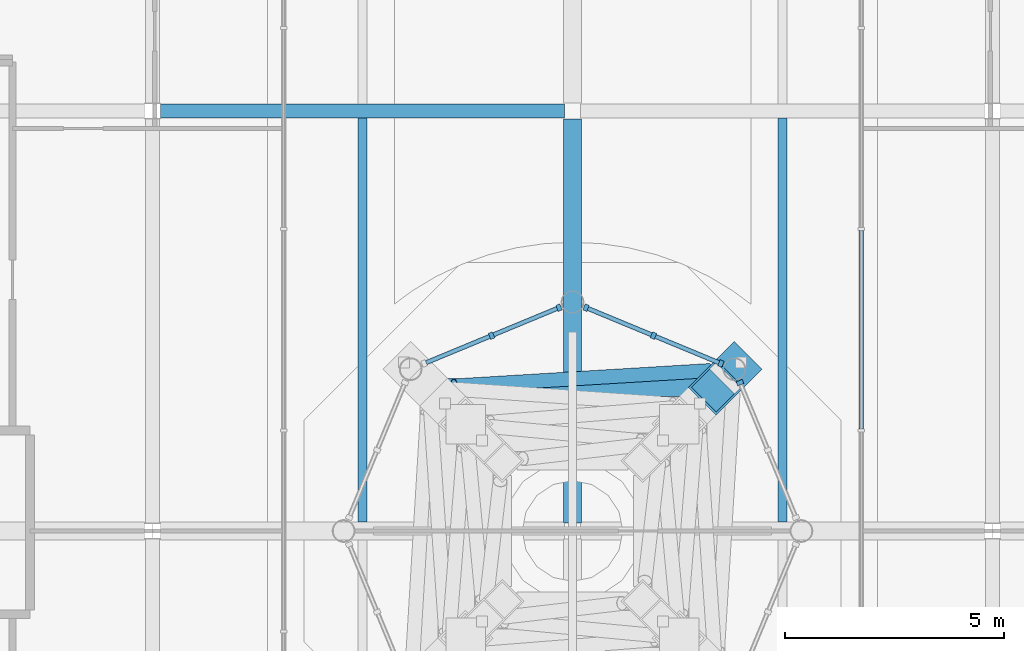
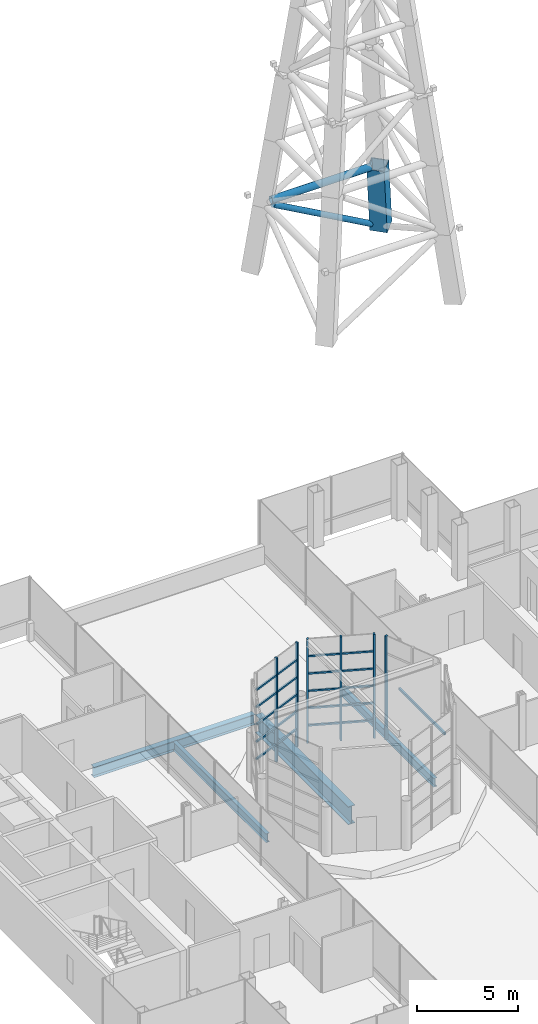
# One storey, part 17 of 32: 30 members, 4 beams, 4 elements without a shape of their own.
"""IFC4 building model written with IfcOpenShell, lengths in metres."""

from ifc_helpers import new_model, si_unit, direction, frame, origin, origin_2d, place, context, subcontext, project, spatial, rectangle, hollow_rectangle, hollow_circle, i_section, extrude, material, material_profile, profile_set, type_object, element, aggregate, save


model = new_model("IFC4")

# Units and contexts
model_context = context("Model", 3, precision=1e-05, world=origin(), true_north=direction((0.0, 1.0)))
body_context = subcontext(model_context, "Body", "Model", "MODEL_VIEW")
ifc_project = project(units=[si_unit("LENGTHUNIT", "METRE"), si_unit("AREAUNIT", "SQUARE_METRE"), si_unit("VOLUMEUNIT", "CUBIC_METRE"), si_unit("PLANEANGLEUNIT", "RADIAN"), si_unit("MASSUNIT", "GRAM", prefix="KILO")], contexts=[model_context])

# Site, building, storey
site_placement = place(None, origin())
site = spatial("IfcSite", under=ifc_project, at=site_placement, CompositionType="ELEMENT")
building_placement = place(site_placement, origin())
building = spatial("IfcBuilding", under=site, at=building_placement, Name="Cobrizo Arcos Hotel Tower", CompositionType="ELEMENT")
storey_placement = place(building_placement, frame((0.0, 0.0, 265.5)))
storey = spatial("IfcBuildingStorey", under=building, at=storey_placement, Name="L70", CompositionType="ELEMENT", Elevation=265.5)

# Curtain wall, member
ifc_material_1 = material(Name="Aluminium 6063-T6 anodised bronze", Category="aluminium")
curtain_wall_type_1 = type_object("IfcCurtainWallType", Name="CW-C arch infill and crown glazing", PredefinedType="NOTDEFINED", material=ifc_material_1)
curtain_wall_1_placement = place(storey_placement, origin())
curtain_wall_1 = element("IfcCurtainWall", 1, at=curtain_wall_1_placement, inside=storey, type_object=curtain_wall_type_1, Name="CW-C L70 W face", PredefinedType="NOTDEFINED")
ifc_material_profile_1 = material_profile(ifc_material_1, rectangle(XDim=0.10009765625, YDim=0.139892578125, at=origin_2d()), Name="CW-C transom 140x100")
ifc_profile_set_1 = profile_set([ifc_material_profile_1], Name="Aluminium 6063-T6 anodised bronze")
member_type_1 = type_object("IfcMemberType", Name="CW-C transom 140x100", PredefinedType="USERDEFINED", material=ifc_profile_set_1)
member_1_placement = place(storey_placement, frame((6.59912109375, 6.864990234375, 0.5), z_axis=(0.0, -1.0, 0.0), x_axis=(1.0, 0.0, 0.0)))
member_1 = element("IfcMember", 2, at=member_1_placement, type_object=member_type_1, Name="CW-C transom 2185", ObjectType="TRANSOM", PredefinedType="USERDEFINED", context=body_context, shape_type="SweptSolid", body=[
    extrude(rectangle(XDim=0.10009765625, YDim=0.139892578125, at=origin_2d()), origin(), (0.0, 0.0, 1.0), 4.530029296875),
])
aggregate(curtain_wall_1, [member_1])

curtain_wall_type_2 = type_object("IfcCurtainWallType", Name="CW-D plant louvre wall", PredefinedType="NOTDEFINED", material=ifc_material_1)
curtain_wall_2_placement = place(storey_placement, origin())
curtain_wall_2 = element("IfcCurtainWall", 3, at=curtain_wall_2_placement, inside=storey, type_object=curtain_wall_type_2, Name="CW-D drum louvre wall 1", PredefinedType="NOTDEFINED")
ifc_material_profile_2 = material_profile(ifc_material_1, rectangle(XDim=0.14990234375, YDim=0.10009765625, at=origin_2d()), Name="CW-D mullion 150x100")
ifc_profile_set_2 = profile_set([ifc_material_profile_2], Name="Aluminium 6063-T6 anodised bronze")
member_type_2 = type_object("IfcMemberType", Name="CW-D mullion 150x100", PredefinedType="MULLION", material=ifc_profile_set_2)
member_2_placement = place(storey_placement, frame((3.827880859375, 3.391357421875, 0.5), z_axis=(0.0, 0.0, 1.0), x_axis=(0.923879532511, 0.382683432365, 0.0)))
member_2 = element("IfcMember", 4, at=member_2_placement, type_object=member_type_2, Name="CW-D mullion 3", PredefinedType="MULLION", context=body_context, shape_type="SweptSolid", body=[
    extrude(rectangle(XDim=0.14990234375, YDim=0.10009765625, at=origin_2d()), origin(), (0.0, 0.0, 1.0), 6.300048828125),
])
aggregate(curtain_wall_2, [member_2])

# Curtain wall, members
curtain_wall_3_placement = place(storey_placement, origin())
curtain_wall_3 = element("IfcCurtainWall", 5, at=curtain_wall_3_placement, inside=storey, type_object=curtain_wall_type_2, Name="CW-D drum louvre wall 2", PredefinedType="NOTDEFINED")
member_3_placement = place(storey_placement, frame((3.391357421875, 3.827880859375, 0.5), z_axis=(0.0, 0.0, 1.0), x_axis=(0.382683432365, 0.923879532511, 0.0)))
member_3 = element("IfcMember", 6, at=member_3_placement, type_object=member_type_2, Name="CW-D mullion 1", PredefinedType="MULLION", context=body_context, shape_type="SweptSolid", body=[
    extrude(rectangle(XDim=0.14990234375, YDim=0.10009765625, at=origin_2d()), origin(), (0.0, 0.0, 1.0), 6.300048828125),
])
member_4_placement = place(storey_placement, frame((1.85009765625, 4.46630859375, 0.5), z_axis=(0.0, 0.0, 1.0), x_axis=(0.382683432365, 0.923879532511, 0.0)))
member_4 = element("IfcMember", 7, at=member_4_placement, type_object=member_type_2, Name="CW-D mullion 2", PredefinedType="MULLION", context=body_context, shape_type="SweptSolid", body=[
    extrude(rectangle(XDim=0.14990234375, YDim=0.10009765625, at=origin_2d()), origin(), (0.0, 0.0, 1.0), 6.300048828125),
])
member_5_placement = place(storey_placement, frame((0.30859375, 5.104736328125, 0.5), z_axis=(0.0, 0.0, 1.0), x_axis=(0.382683432365, 0.923879532511, 0.0)))
member_5 = element("IfcMember", 8, at=member_5_placement, type_object=member_type_2, Name="CW-D mullion 3", PredefinedType="MULLION", context=body_context, shape_type="SweptSolid", body=[
    extrude(rectangle(XDim=0.14990234375, YDim=0.10009765625, at=origin_2d()), origin(), (0.0, 0.0, 1.0), 6.300048828125),
])

curtain_wall_4_placement = place(storey_placement, origin())
curtain_wall_4 = element("IfcCurtainWall", 9, at=curtain_wall_4_placement, inside=storey, type_object=curtain_wall_type_2, Name="CW-D drum louvre wall 3", PredefinedType="NOTDEFINED")
member_6_placement = place(storey_placement, frame((-0.30859375, 5.104736328125, 0.5), z_axis=(0.0, 0.0, 1.0), x_axis=(-0.382683432365, 0.923879532511, 0.0)))
member_6 = element("IfcMember", 10, at=member_6_placement, type_object=member_type_2, Name="CW-D mullion 1", PredefinedType="MULLION", context=body_context, shape_type="SweptSolid", body=[
    extrude(rectangle(XDim=0.14990234375, YDim=0.10009765625, at=origin_2d()), origin(), (0.0, 0.0, 1.0), 6.300048828125),
])
member_7_placement = place(storey_placement, frame((-1.85009765625, 4.46630859375, 0.5), z_axis=(0.0, 0.0, 1.0), x_axis=(-0.382683432365, 0.923879532511, 0.0)))
member_7 = element("IfcMember", 11, at=member_7_placement, type_object=member_type_2, Name="CW-D mullion 2", PredefinedType="MULLION", context=body_context, shape_type="SweptSolid", body=[
    extrude(rectangle(XDim=0.14990234375, YDim=0.10009765625, at=origin_2d()), origin(), (0.0, 0.0, 1.0), 6.300048828125),
])

# Member
ifc_material_profile_3 = material_profile(ifc_material_1, rectangle(XDim=0.10009765625, YDim=0.10009765625, at=origin_2d()), Name="CW-D transom 100x100")
ifc_profile_set_3 = profile_set([ifc_material_profile_3], Name="Aluminium 6063-T6 anodised bronze")
member_type_3 = type_object("IfcMemberType", Name="CW-D transom 100x100", PredefinedType="USERDEFINED", material=ifc_profile_set_3)
member_8_placement = place(storey_placement, frame((3.34521484375, 3.846923828125, 1.550048828125), z_axis=(-0.923844168663, 0.382768797092, 0.0), x_axis=(-0.382768797092, -0.923844168663, 0.0)))
member_8 = element("IfcMember", 12, at=member_8_placement, type_object=member_type_3, Name="CW-D transom 1-1", ObjectType="TRANSOM", PredefinedType="USERDEFINED", context=body_context, shape_type="SweptSolid", body=[
    extrude(rectangle(XDim=0.10009765625, YDim=0.10009765625, at=origin_2d()), origin(), (0.0, 0.0, 1.0), 1.568359375),
])

member_9_placement = place(storey_placement, frame((3.34521484375, 3.846923828125, 2.60009765625), z_axis=(-0.923844168663, 0.382768797092, 0.0), x_axis=(-0.382768797092, -0.923844168663, 0.0)))
member_9 = element("IfcMember", 13, at=member_9_placement, type_object=member_type_3, Name="CW-D transom 1-2", ObjectType="TRANSOM", PredefinedType="USERDEFINED", context=body_context, shape_type="SweptSolid", body=[
    extrude(rectangle(XDim=0.10009765625, YDim=0.10009765625, at=origin_2d()), origin(), (0.0, 0.0, 1.0), 1.568359375),
])

member_10_placement = place(storey_placement, frame((3.34521484375, 3.846923828125, 3.64990234375), z_axis=(-0.923844168663, 0.382768797092, 0.0), x_axis=(-0.382768797092, -0.923844168663, 0.0)))
member_10 = element("IfcMember", 14, at=member_10_placement, type_object=member_type_3, Name="CW-D transom 1-3", ObjectType="TRANSOM", PredefinedType="USERDEFINED", context=body_context, shape_type="SweptSolid", body=[
    extrude(rectangle(XDim=0.10009765625, YDim=0.10009765625, at=origin_2d()), origin(), (0.0, 0.0, 1.0), 1.568359375),
])

member_11_placement = place(storey_placement, frame((3.34521484375, 3.846923828125, 4.699951171875), z_axis=(-0.923844168663, 0.382768797092, 0.0), x_axis=(-0.382768797092, -0.923844168663, 0.0)))
member_11 = element("IfcMember", 15, at=member_11_placement, type_object=member_type_3, Name="CW-D transom 1-4", ObjectType="TRANSOM", PredefinedType="USERDEFINED", context=body_context, shape_type="SweptSolid", body=[
    extrude(rectangle(XDim=0.10009765625, YDim=0.10009765625, at=origin_2d()), origin(), (0.0, 0.0, 1.0), 1.568359375),
])

member_12_placement = place(storey_placement, frame((3.34521484375, 3.846923828125, 5.75), z_axis=(-0.923844168663, 0.382768797092, 0.0), x_axis=(-0.382768797092, -0.923844168663, 0.0)))
member_12 = element("IfcMember", 16, at=member_12_placement, type_object=member_type_3, Name="CW-D transom 1-5", ObjectType="TRANSOM", PredefinedType="USERDEFINED", context=body_context, shape_type="SweptSolid", body=[
    extrude(rectangle(XDim=0.10009765625, YDim=0.10009765625, at=origin_2d()), origin(), (0.0, 0.0, 1.0), 1.568359375),
])

member_13_placement = place(storey_placement, frame((1.8037109375, 4.4853515625, 1.550048828125), z_axis=(-0.923844168663, 0.382768797092, 0.0), x_axis=(-0.382768797092, -0.923844168663, 0.0)))
member_13 = element("IfcMember", 17, at=member_13_placement, type_object=member_type_3, Name="CW-D transom 2-1", ObjectType="TRANSOM", PredefinedType="USERDEFINED", context=body_context, shape_type="SweptSolid", body=[
    extrude(rectangle(XDim=0.10009765625, YDim=0.10009765625, at=origin_2d()), origin(), (0.0, 0.0, 1.0), 1.568359375),
])

member_14_placement = place(storey_placement, frame((1.8037109375, 4.4853515625, 2.60009765625), z_axis=(-0.923844168663, 0.382768797092, 0.0), x_axis=(-0.382768797092, -0.923844168663, 0.0)))
member_14 = element("IfcMember", 18, at=member_14_placement, type_object=member_type_3, Name="CW-D transom 2-2", ObjectType="TRANSOM", PredefinedType="USERDEFINED", context=body_context, shape_type="SweptSolid", body=[
    extrude(rectangle(XDim=0.10009765625, YDim=0.10009765625, at=origin_2d()), origin(), (0.0, 0.0, 1.0), 1.568359375),
])

member_15_placement = place(storey_placement, frame((1.8037109375, 4.4853515625, 3.64990234375), z_axis=(-0.923844168663, 0.382768797092, 0.0), x_axis=(-0.382768797092, -0.923844168663, 0.0)))
member_15 = element("IfcMember", 19, at=member_15_placement, type_object=member_type_3, Name="CW-D transom 2-3", ObjectType="TRANSOM", PredefinedType="USERDEFINED", context=body_context, shape_type="SweptSolid", body=[
    extrude(rectangle(XDim=0.10009765625, YDim=0.10009765625, at=origin_2d()), origin(), (0.0, 0.0, 1.0), 1.568359375),
])

member_16_placement = place(storey_placement, frame((1.8037109375, 4.4853515625, 4.699951171875), z_axis=(-0.923844168663, 0.382768797092, 0.0), x_axis=(-0.382768797092, -0.923844168663, 0.0)))
member_16 = element("IfcMember", 20, at=member_16_placement, type_object=member_type_3, Name="CW-D transom 2-4", ObjectType="TRANSOM", PredefinedType="USERDEFINED", context=body_context, shape_type="SweptSolid", body=[
    extrude(rectangle(XDim=0.10009765625, YDim=0.10009765625, at=origin_2d()), origin(), (0.0, 0.0, 1.0), 1.568359375),
])

member_17_placement = place(storey_placement, frame((1.8037109375, 4.4853515625, 5.75), z_axis=(-0.923844168663, 0.382768797092, 0.0), x_axis=(-0.382768797092, -0.923844168663, 0.0)))
member_17 = element("IfcMember", 21, at=member_17_placement, type_object=member_type_3, Name="CW-D transom 2-5", ObjectType="TRANSOM", PredefinedType="USERDEFINED", context=body_context, shape_type="SweptSolid", body=[
    extrude(rectangle(XDim=0.10009765625, YDim=0.10009765625, at=origin_2d()), origin(), (0.0, 0.0, 1.0), 1.568359375),
])

aggregate(curtain_wall_3, [member_3, member_4, member_5, member_8, member_9, member_10, member_11, member_12, member_13, member_14, member_15, member_16, member_17])

member_18_placement = place(storey_placement, frame((-0.354736328125, 5.085693359375, 1.550048828125), z_axis=(-0.923844168663, -0.382768797092, 0.0), x_axis=(0.382768797092, -0.923844168663, 0.0)))
member_18 = element("IfcMember", 22, at=member_18_placement, type_object=member_type_3, Name="CW-D transom 1-1", ObjectType="TRANSOM", PredefinedType="USERDEFINED", context=body_context, shape_type="SweptSolid", body=[
    extrude(rectangle(XDim=0.10009765625, YDim=0.10009765625, at=origin_2d()), origin(), (0.0, 0.0, 1.0), 1.568359375),
])

member_19_placement = place(storey_placement, frame((-0.354736328125, 5.085693359375, 2.60009765625), z_axis=(-0.923844168663, -0.382768797092, 0.0), x_axis=(0.382768797092, -0.923844168663, 0.0)))
member_19 = element("IfcMember", 23, at=member_19_placement, type_object=member_type_3, Name="CW-D transom 1-2", ObjectType="TRANSOM", PredefinedType="USERDEFINED", context=body_context, shape_type="SweptSolid", body=[
    extrude(rectangle(XDim=0.10009765625, YDim=0.10009765625, at=origin_2d()), origin(), (0.0, 0.0, 1.0), 1.568359375),
])

member_20_placement = place(storey_placement, frame((-0.354736328125, 5.085693359375, 3.64990234375), z_axis=(-0.923844168663, -0.382768797092, 0.0), x_axis=(0.382768797092, -0.923844168663, 0.0)))
member_20 = element("IfcMember", 24, at=member_20_placement, type_object=member_type_3, Name="CW-D transom 1-3", ObjectType="TRANSOM", PredefinedType="USERDEFINED", context=body_context, shape_type="SweptSolid", body=[
    extrude(rectangle(XDim=0.10009765625, YDim=0.10009765625, at=origin_2d()), origin(), (0.0, 0.0, 1.0), 1.568359375),
])

member_21_placement = place(storey_placement, frame((-0.354736328125, 5.085693359375, 4.699951171875), z_axis=(-0.923844168663, -0.382768797092, 0.0), x_axis=(0.382768797092, -0.923844168663, 0.0)))
member_21 = element("IfcMember", 25, at=member_21_placement, type_object=member_type_3, Name="CW-D transom 1-4", ObjectType="TRANSOM", PredefinedType="USERDEFINED", context=body_context, shape_type="SweptSolid", body=[
    extrude(rectangle(XDim=0.10009765625, YDim=0.10009765625, at=origin_2d()), origin(), (0.0, 0.0, 1.0), 1.568359375),
])

member_22_placement = place(storey_placement, frame((-0.354736328125, 5.085693359375, 5.75), z_axis=(-0.923844168663, -0.382768797092, 0.0), x_axis=(0.382768797092, -0.923844168663, 0.0)))
member_22 = element("IfcMember", 26, at=member_22_placement, type_object=member_type_3, Name="CW-D transom 1-5", ObjectType="TRANSOM", PredefinedType="USERDEFINED", context=body_context, shape_type="SweptSolid", body=[
    extrude(rectangle(XDim=0.10009765625, YDim=0.10009765625, at=origin_2d()), origin(), (0.0, 0.0, 1.0), 1.568359375),
])

member_23_placement = place(storey_placement, frame((-1.896240234375, 4.447265625, 1.550048828125), z_axis=(-0.923844168663, -0.382768797092, 0.0), x_axis=(0.382768797092, -0.923844168663, 0.0)))
member_23 = element("IfcMember", 27, at=member_23_placement, type_object=member_type_3, Name="CW-D transom 2-1", ObjectType="TRANSOM", PredefinedType="USERDEFINED", context=body_context, shape_type="SweptSolid", body=[
    extrude(rectangle(XDim=0.10009765625, YDim=0.10009765625, at=origin_2d()), origin(), (0.0, 0.0, 1.0), 1.568359375),
])

member_24_placement = place(storey_placement, frame((-1.896240234375, 4.447265625, 2.60009765625), z_axis=(-0.923844168663, -0.382768797092, 0.0), x_axis=(0.382768797092, -0.923844168663, 0.0)))
member_24 = element("IfcMember", 28, at=member_24_placement, type_object=member_type_3, Name="CW-D transom 2-2", ObjectType="TRANSOM", PredefinedType="USERDEFINED", context=body_context, shape_type="SweptSolid", body=[
    extrude(rectangle(XDim=0.10009765625, YDim=0.10009765625, at=origin_2d()), origin(), (0.0, 0.0, 1.0), 1.568359375),
])

member_25_placement = place(storey_placement, frame((-1.896240234375, 4.447265625, 3.64990234375), z_axis=(-0.923844168663, -0.382768797092, 0.0), x_axis=(0.382768797092, -0.923844168663, 0.0)))
member_25 = element("IfcMember", 29, at=member_25_placement, type_object=member_type_3, Name="CW-D transom 2-3", ObjectType="TRANSOM", PredefinedType="USERDEFINED", context=body_context, shape_type="SweptSolid", body=[
    extrude(rectangle(XDim=0.10009765625, YDim=0.10009765625, at=origin_2d()), origin(), (0.0, 0.0, 1.0), 1.568359375),
])

member_26_placement = place(storey_placement, frame((-1.896240234375, 4.447265625, 4.699951171875), z_axis=(-0.923844168663, -0.382768797092, 0.0), x_axis=(0.382768797092, -0.923844168663, 0.0)))
member_26 = element("IfcMember", 30, at=member_26_placement, type_object=member_type_3, Name="CW-D transom 2-4", ObjectType="TRANSOM", PredefinedType="USERDEFINED", context=body_context, shape_type="SweptSolid", body=[
    extrude(rectangle(XDim=0.10009765625, YDim=0.10009765625, at=origin_2d()), origin(), (0.0, 0.0, 1.0), 1.568359375),
])

member_27_placement = place(storey_placement, frame((-1.896240234375, 4.447265625, 5.75), z_axis=(-0.923844168663, -0.382768797092, 0.0), x_axis=(0.382768797092, -0.923844168663, 0.0)))
member_27 = element("IfcMember", 31, at=member_27_placement, type_object=member_type_3, Name="CW-D transom 2-5", ObjectType="TRANSOM", PredefinedType="USERDEFINED", context=body_context, shape_type="SweptSolid", body=[
    extrude(rectangle(XDim=0.10009765625, YDim=0.10009765625, at=origin_2d()), origin(), (0.0, 0.0, 1.0), 1.568359375),
])

aggregate(curtain_wall_4, [member_6, member_7, member_18, member_19, member_20, member_21, member_22, member_23, member_24, member_25, member_26, member_27])

# Members
ifc_material_2 = material(Name="Steel ASTM A500 Grade C", Category="steel")
ifc_material_profile_4 = material_profile(ifc_material_2, hollow_circle(Radius=0.161865234375, WallThickness=0.01171875, at=origin_2d()), Name="HSS12.750X0.500")
ifc_profile_set_4 = profile_set([ifc_material_profile_4], Name="Steel ASTM A500 Grade C")
member_type_4 = type_object("IfcMemberType", Name="MAST diagonal HSS12.750X0.500", PredefinedType="BRACE", material=ifc_profile_set_4)
member_28_placement = place(storey_placement, frame((3.129150390625, 3.66552734375, 31.835205078125), z_axis=(-0.861084142838, -0.051780997675, 0.505818966857), x_axis=(0.060026220022, -0.998196800691, 0.0)))
element("IfcMember", 32, at=member_28_placement, inside=storey, type_object=member_type_4, Name="MAST diagonal stage 1 face 3", PredefinedType="BRACE", context=body_context, shape_type="SweptSolid", body=[
    extrude(hollow_circle(Radius=0.161865234375, WallThickness=0.01171875, at=origin_2d()), origin(), (0.0, 0.0, 1.0), 6.780029296875),
])
ifc_material_3 = material(Name="Steel ASTM A572 Grade 50", Category="steel")
ifc_material_profile_5 = material_profile(ifc_material_3, hollow_rectangle(XDim=0.89990234375, YDim=0.89990234375, WallThickness=0.050048828125, at=origin_2d()), Name="BOX 900X900X50")
ifc_profile_set_5 = profile_set([ifc_material_profile_5], Name="Steel ASTM A572 Grade 50")
member_type_5 = type_object("IfcMemberType", Name="MAST leg BOX 900X900X50", PredefinedType="CHORD", material=ifc_profile_set_5)
member_29_placement = place(storey_placement, frame((3.699951171875, 3.699951171875, 31.5), z_axis=(-0.101359849485, -0.101359849485, 0.98967285596), x_axis=(0.707106781187, -0.707106781187, 0.0)))
element("IfcMember", 33, at=member_29_placement, inside=storey, type_object=member_type_5, Name="MAST leg NE stage 1", PredefinedType="CHORD", context=body_context, shape_type="SweptSolid", body=[
    extrude(hollow_rectangle(XDim=0.89990234375, YDim=0.89990234375, WallThickness=0.050048828125, at=origin_2d()), origin(), (0.0, 0.0, 1.0), 4.142822265625),
])
ifc_material_profile_6 = material_profile(ifc_material_2, hollow_circle(Radius=0.203125, WallThickness=0.01171875, at=origin_2d()), Name="HSS16.000X0.500")
ifc_profile_set_6 = profile_set([ifc_material_profile_6], Name="Steel ASTM A500 Grade C")
member_type_6 = type_object("IfcMemberType", Name="MAST strut HSS16.000X0.500", PredefinedType="STRUT", material=ifc_profile_set_6)
member_30_placement = place(storey_placement, frame((2.85009765625, 3.280029296875, 35.60009765625), z_axis=(-1.0, 0.0, 0.0), x_axis=(0.0, -1.0, 0.0)))
element("IfcMember", 34, at=member_30_placement, inside=storey, type_object=member_type_6, Name="MAST strut level 1 face 3", PredefinedType="STRUT", context=body_context, shape_type="SweptSolid", body=[
    extrude(hollow_circle(Radius=0.203125, WallThickness=0.01171875, at=origin_2d()), origin(), (0.0, 0.0, 1.0), 5.7001953125),
])

# Beams
ifc_material_4 = material(Name="Steel ASTM A992 Grade 50", Category="steel")
ifc_material_profile_7 = material_profile(ifc_material_4, i_section(OverallWidth=0.209228515625, OverallDepth=0.533447265625, WebThickness=0.01025390625, FlangeThickness=0.015625, at=origin_2d()), Name="W21X62")
ifc_profile_set_7 = profile_set([ifc_material_profile_7], Name="Steel ASTM A992 Grade 50")
beam_type_1 = type_object("IfcBeamType", Name="W21X62 joist", PredefinedType="JOIST", material=ifc_profile_set_7)
for number, where, z_axis, x_axis, name in (
    (35, (-4.800048828125, 0.20068359375, -0.5166015625), (0.0, 1.0, 0.0), (-1.0, 0.0, 0.0), "Floor joist J1, L70, no. 009"),
    (36, (4.800048828125, 0.20068359375, -0.5166015625), (0.0, 1.0, 0.0), (-1.0, 0.0, 0.0), "Floor joist J1, L70, no. 013"),
):
    element("IfcBeam", number, at=place(storey_placement, frame(where, z_axis=z_axis, x_axis=x_axis)), inside=storey, type_object=beam_type_1, Name=name, PredefinedType="JOIST", context=body_context, shape_type="SweptSolid", body=[
        extrude(i_section(OverallWidth=0.209228515625, OverallDepth=0.533447265625, WebThickness=0.01025390625, FlangeThickness=0.015625, at=origin_2d()), origin(), (0.0, 0.0, 1.0), 9.2353515625),
    ])
ifc_material_profile_8 = material_profile(ifc_material_4, i_section(OverallWidth=0.32763671875, OverallDepth=0.622314453125, WebThickness=0.015380859375, FlangeThickness=0.0244140625, at=origin_2d()), Name="W24X131")
ifc_profile_set_8 = profile_set([ifc_material_profile_8], Name="Steel ASTM A992 Grade 50")
beam_type_2 = type_object("IfcBeamType", Name="W24X131 girder", PredefinedType="BEAM", material=ifc_profile_set_8)
beam_1_placement = place(storey_placement, frame((-9.415771484375, 9.60009765625, -0.56103515625), z_axis=(1.0, 0.0, 0.0), x_axis=(0.0, 1.0, 0.0)))
element("IfcBeam", 37, at=beam_1_placement, inside=storey, type_object=beam_type_2, Name="Floor girder G1, L70, no. 006", PredefinedType="BEAM", context=body_context, shape_type="SweptSolid", body=[
    extrude(i_section(OverallWidth=0.32763671875, OverallDepth=0.622314453125, WebThickness=0.015380859375, FlangeThickness=0.0244140625, at=origin_2d()), origin(), (0.0, 0.0, 1.0), 9.231689453125),
])
ifc_material_profile_9 = material_profile(ifc_material_4, i_section(OverallWidth=0.4013671875, OverallDepth=1.089599609375, WebThickness=0.01806640625, FlangeThickness=0.031005859375, at=origin_2d()), Name="W44X230")
ifc_profile_set_9 = profile_set([ifc_material_profile_9], Name="Steel ASTM A992 Grade 50")
beam_type_3 = type_object("IfcBeamType", Name="W44X230 crown transfer girder", PredefinedType="BEAM", material=ifc_profile_set_9)
beam_2_placement = place(storey_placement, frame((0.0, 0.18408203125, -0.794921875), z_axis=(0.0, 1.0, 0.0), x_axis=(-1.0, 0.0, 0.0)))
element("IfcBeam", 38, at=beam_2_placement, inside=storey, type_object=beam_type_3, Name="Crown transfer girder CG1, L70, no. 007", PredefinedType="BEAM", context=body_context, shape_type="SweptSolid", body=[
    extrude(i_section(OverallWidth=0.4013671875, OverallDepth=1.089599609375, WebThickness=0.01806640625, FlangeThickness=0.031005859375, at=origin_2d()), origin(), (0.0, 0.0, 1.0), 9.231689453125),
])

save(model, "model.ifc")
